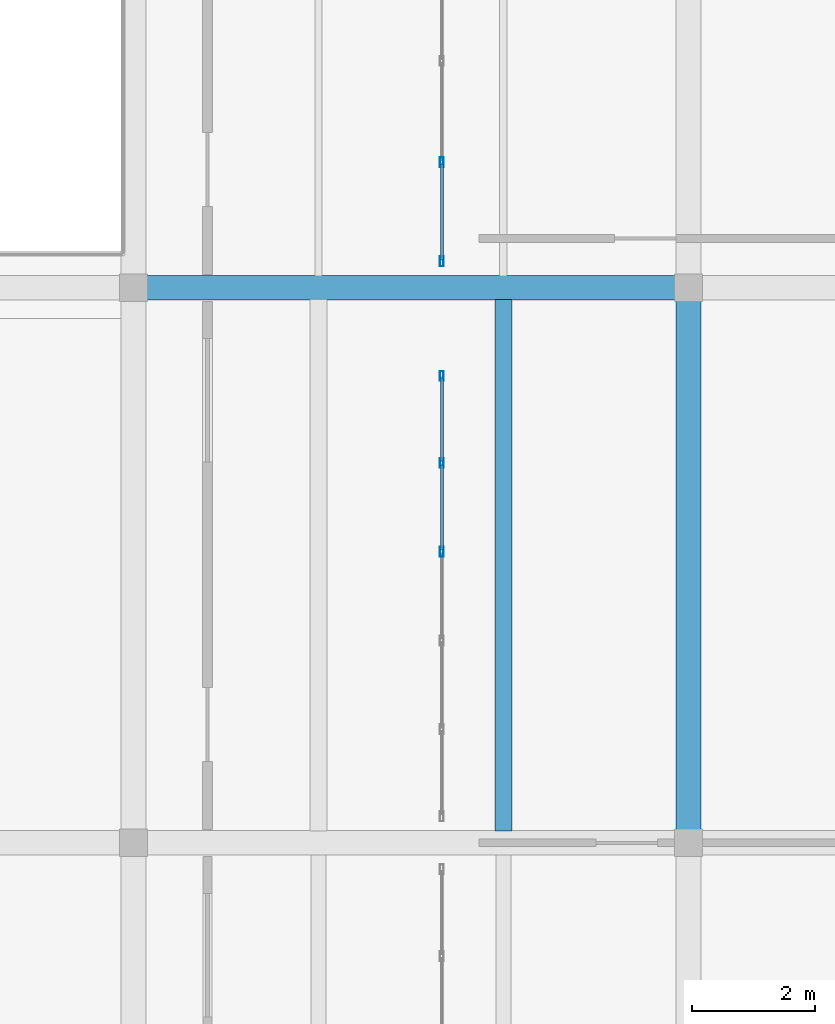
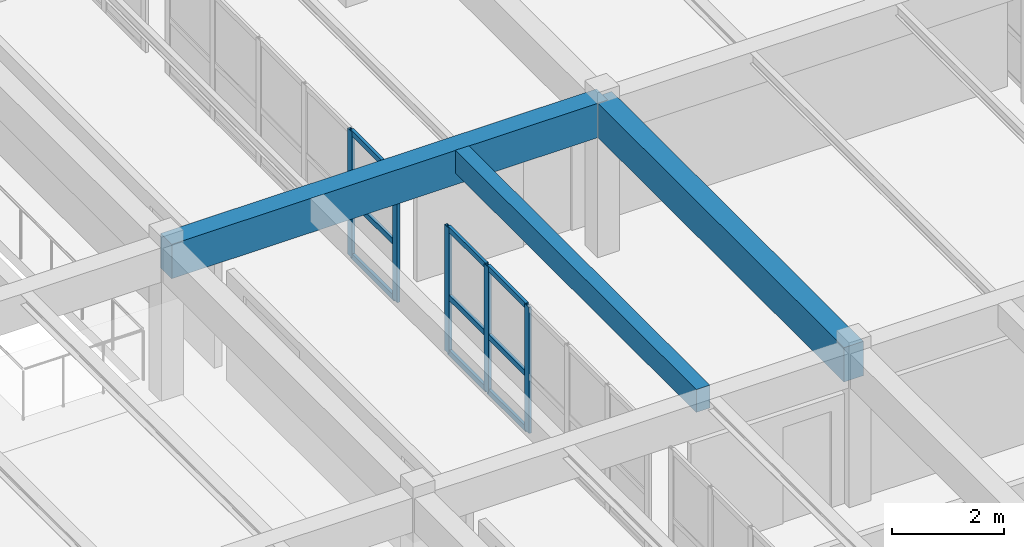
# One storey, part 41 of 80: 14 members, 3 beams, 2 elements without a shape of their own.
"""IFC4 building model written with IfcOpenShell, lengths in metres."""

import ifcopenshell
import ifcopenshell.guid

model = None  # the IFC model being written
_history = None  # IfcOwnerHistory: only IFC2X3 demands one
_inside = {}  # id of a spatial element -> (the spatial element, [elements in it])
_under = {}  # id of a project, library or spatial element -> (it, [spatial elements below it])
_declared = {}  # id of a project -> (the project, [libraries it declares])
_typed = {}  # id of a type object -> (the type object, [elements of that type])
_made_of = {}  # id of a material, layer set ... -> (it, [elements and type objects made of it])


def new_model(schema):
    """Start an empty IFC model of exactly this schema.

    Asked for "IFC4X3", IfcOpenShell would pick the latest addendum, in which some entities
    have other attributes; the version numbers below select the first issue.
    IFC2X3 requires an IfcOwnerHistory on every rooted entity: one is made here for all.
    """
    global model, _history
    if schema == "IFC4X3":
        model = ifcopenshell.file(schema_version=(4, 3, 0, 0))
    else:
        model = ifcopenshell.file(schema=schema)
    _inside.clear()
    _under.clear()
    _declared.clear()
    _typed.clear()
    _made_of.clear()
    _history = None
    if model.schema == "IFC2X3":
        org = make("IfcOrganization", Name="unknown")
        user = make(
            "IfcPersonAndOrganization",
            ThePerson=make("IfcPerson", FamilyName="unknown"),
            TheOrganization=org,
        )
        app = make(
            "IfcApplication",
            ApplicationDeveloper=org,
            Version="unknown",
            ApplicationFullName="unknown",
            ApplicationIdentifier="unknown",
        )
        _history = make(
            "IfcOwnerHistory",
            OwningUser=user,
            OwningApplication=app,
            ChangeAction="ADDED",
            CreationDate=0,
        )
    return model


def make(cls, **values):
    """One entity of the class cls with the attributes given. An attribute that is None is left unset."""
    return model.create_entity(
        cls, **{name: value for name, value in values.items() if value is not None}
    )


def rooted(cls, **values):
    """An entity with a GlobalId (a new one), such as an element, a storey or a relation."""
    return make(cls, GlobalId=ifcopenshell.guid.new(), OwnerHistory=_history, **values)


def si_unit(unit_type, name, prefix=None):
    """IfcSIUnit, for example si_unit("LENGTHUNIT", "METRE", prefix="MILLI")."""
    return make("IfcSIUnit", UnitType=unit_type, Prefix=prefix, Name=name)


def assignment(units):
    """IfcUnitAssignment: the units of a project."""
    return None if units is None else make("IfcUnitAssignment", Units=units)


def point(xyz):
    """IfcCartesianPoint."""
    return None if xyz is None else make("IfcCartesianPoint", Coordinates=xyz)


def direction(xyz):
    """IfcDirection."""
    return None if xyz is None else make("IfcDirection", DirectionRatios=xyz)


def frame(location, z_axis=None, x_axis=None):
    """IfcAxis2Placement3D, a coordinate frame: its origin and axes. An axis left out is left unset."""
    return make(
        "IfcAxis2Placement3D",
        Location=point(location),
        Axis=direction(z_axis),
        RefDirection=direction(x_axis),
    )


def frame_2d(location, x_axis=None):
    """IfcAxis2Placement2D, a coordinate frame in the plane: its origin and x axis."""
    return make(
        "IfcAxis2Placement2D", Location=point(location), RefDirection=direction(x_axis)
    )


def origin():
    """The frame at (0, 0, 0) with its axes left unset."""
    return frame((0.0, 0.0, 0.0))


def origin_2d():
    """The frame at (0, 0) in the plane with its x axis left unset."""
    return frame_2d((0.0, 0.0))


def place(relative_to, where):
    """IfcLocalPlacement: puts the frame where relative to a parent placement (None: the world)."""
    return make(
        "IfcLocalPlacement", PlacementRelTo=relative_to, RelativePlacement=where
    )


def context(
    kind, dimensions, precision=None, world=None, true_north=None, identifier=None
):
    """IfcGeometricRepresentationContext, for example the 3D "Model" context."""
    return make(
        "IfcGeometricRepresentationContext",
        ContextIdentifier=identifier,
        ContextType=kind,
        CoordinateSpaceDimension=dimensions,
        Precision=precision,
        WorldCoordinateSystem=world,
        TrueNorth=true_north,
    )


def subcontext(parent, identifier, kind, view, scale=None):
    """IfcGeometricRepresentationSubContext, for example "Body" below "Model"."""
    return make(
        "IfcGeometricRepresentationSubContext",
        ContextIdentifier=identifier,
        ContextType=kind,
        ParentContext=parent,
        TargetScale=scale,
        TargetView=view,
    )


def project(units=None, contexts=None):
    """IfcProject with its units and contexts."""
    return rooted(
        "IfcProject",
        Name="project",
        RepresentationContexts=contexts,
        UnitsInContext=assignment(units),
    )


def spatial(cls, under=None, at=None, **own):
    """A site, building, storey or space (cls), placed at a placement, below another one or the project."""
    s = rooted(cls, ObjectPlacement=at, **own)
    if under is not None:
        _under.setdefault(under.id(), (under, []))[1].append(s)
    return s


def profile(cls, at=None, kind="AREA", **sizes):
    """A parametric profile (cls). Its sizes go by their IFC names, for example OverallWidth=200.0."""
    return make(cls, ProfileType=kind, Position=at, **sizes)


def rectangle(**sizes):
    """IfcRectangleProfileDef."""
    return profile("IfcRectangleProfileDef", **sizes)


def hollow_rectangle(**sizes):
    """IfcRectangleHollowProfileDef."""
    return profile("IfcRectangleHollowProfileDef", **sizes)


def extrude(swept, where, along, depth):
    """IfcExtrudedAreaSolid: the profile swept, set in the frame where, extruded along a direction by depth."""
    return make(
        "IfcExtrudedAreaSolid",
        SweptArea=swept,
        Position=where,
        ExtrudedDirection=direction(along),
        Depth=depth,
    )


def shape(context_of_items, identifier, shape_type, items):
    """IfcShapeRepresentation: the items that make up one representation, for example the "Body"."""
    return make(
        "IfcShapeRepresentation",
        ContextOfItems=context_of_items,
        RepresentationIdentifier=identifier,
        RepresentationType=shape_type,
        Items=items,
    )


def material(Name=None, Category=None):
    """IfcMaterial."""
    return make("IfcMaterial", Name=Name, Category=Category)


def layer(
    of_material, thickness, ventilated=None, Name=None, Category=None, Priority=None
):
    """IfcMaterialLayer: one layer of a wall or slab, of a material (None: an air gap)."""
    return make(
        "IfcMaterialLayer",
        Material=of_material,
        LayerThickness=thickness,
        IsVentilated=ventilated,
        Name=Name,
        Category=Category,
        Priority=Priority,
    )


def layer_set(layers, Name=None):
    """IfcMaterialLayerSet."""
    return make("IfcMaterialLayerSet", MaterialLayers=layers, LayerSetName=Name)


def material_profile(
    of_material, cross_section, Name=None, Category=None, Priority=None
):
    """IfcMaterialProfile: a cross section and its material."""
    return make(
        "IfcMaterialProfile",
        Name=Name,
        Material=of_material,
        Profile=cross_section,
        Priority=Priority,
        Category=Category,
    )


def profile_set(profiles, Name=None, composite=None):
    """IfcMaterialProfileSet."""
    return make(
        "IfcMaterialProfileSet",
        Name=Name,
        MaterialProfiles=profiles,
        CompositeProfile=composite,
    )


def made_of(thing, what):
    """Note that an element or type object is made of a material, layer set ...; save() writes the relation."""
    if what is not None:
        _made_of.setdefault(what.id(), (what, []))[1].append(thing)
    return thing


def type_object(cls, material=None, **own):
    """A type object (cls), such as IfcWallType, which elements share."""
    return made_of(rooted(cls, **own), material)


def element(
    cls,
    number,
    at=None,
    inside=None,
    cuts=None,
    type_object=None,
    material=None,
    context=None,
    identifier="Body",
    shape_type=None,
    held_by="IfcProductDefinitionShape",
    body=None,
    shapes=None,
    **own,
):
    """One element of the class cls, such as IfcWall. Its Tag is "e" and its number.

    at: its placement. inside: the storey or other place that contains it. cuts: it is an
    opening in that element (IfcRelVoidsElement). A single representation is given by context,
    identifier, shape_type and body (its items); several are given by shapes. held_by: the class
    of the entity that holds the representations. save() writes the other relations.
    """
    e = rooted(cls, Tag="e%d" % number, ObjectPlacement=at, **own)
    if body is not None:
        shapes = [shape(context, identifier, shape_type, body)]
    if shapes is not None:
        e.Representation = make(held_by, Representations=shapes)
    if inside is not None:
        _inside.setdefault(inside.id(), (inside, []))[1].append(e)
    if cuts is not None:
        rooted(
            "IfcRelVoidsElement", RelatingBuildingElement=cuts, RelatedOpeningElement=e
        )
    if type_object is not None:
        _typed.setdefault(type_object.id(), (type_object, []))[1].append(e)
    return made_of(e, material)


def aggregate(whole, parts):
    """IfcRelAggregates: a whole, such as a stair, and the parts it consists of."""
    return rooted("IfcRelAggregates", RelatingObject=whole, RelatedObjects=parts)


def save(model, path):
    """Write the relations noted so far, then the file.

    IfcRelAggregates (storeys below a building ...), IfcRelContainedInSpatialStructure (elements
    in a storey), IfcRelDefinesByType, IfcRelAssociatesMaterial and IfcRelDeclares: one each for
    every whole, place, type object, material and project.
    """
    for whole, parts in _under.values():
        aggregate(whole, parts)
    for where, things in _inside.values():
        rooted(
            "IfcRelContainedInSpatialStructure",
            RelatedElements=things,
            RelatingStructure=where,
        )
    for kind, things in _typed.values():
        rooted("IfcRelDefinesByType", RelatedObjects=things, RelatingType=kind)
    for what, things in _made_of.values():
        rooted("IfcRelAssociatesMaterial", RelatedObjects=things, RelatingMaterial=what)
    for by, libraries in _declared.values():
        rooted("IfcRelDeclares", RelatingContext=by, RelatedDefinitions=libraries)
    model.write(path)


model = new_model("IFC4")

# Units and contexts
model_context = context("Model", 3, precision=1e-05, world=origin(), true_north=direction((0.0, 1.0)))
body_context = subcontext(model_context, "Body", "Model", "MODEL_VIEW")
ifc_project = project(units=[si_unit("LENGTHUNIT", "METRE"), si_unit("AREAUNIT", "SQUARE_METRE"), si_unit("VOLUMEUNIT", "CUBIC_METRE"), si_unit("PLANEANGLEUNIT", "RADIAN"), si_unit("MASSUNIT", "GRAM", prefix="KILO")], contexts=[model_context])

# Site, building, storey
site_placement = place(None, origin())
site = spatial("IfcSite", under=ifc_project, at=site_placement, CompositionType="ELEMENT")
building_placement = place(site_placement, origin())
building = spatial("IfcBuilding", under=site, at=building_placement, Name="Ornek Quay Market", CompositionType="ELEMENT")
storey_placement = place(building_placement, frame((0.0, 0.0, 8.39990234375)))
storey = spatial("IfcBuildingStorey", under=building, at=storey_placement, Name="L02", CompositionType="ELEMENT", Elevation=8.39990234375)

# Beams
ifc_material_1 = material(Name="Concrete C35/45", Category="concrete")
ifc_material_profile_1 = material_profile(ifc_material_1, rectangle(XDim=0.39990234375, YDim=0.75, at=origin_2d()), Name="RC 400x750", Category="concrete")
ifc_profile_set_1 = profile_set([ifc_material_profile_1], Name="Concrete C35/45")
beam_type_1 = type_object("IfcBeamType", Name="BM-CS-400x750", PredefinedType="BEAM", material=ifc_profile_set_1)
for number, where, z_axis, x_axis, name in (
    (1, (162.0, 47.0, 2.97509765625), (1.0, 0.0, 0.0), (0.0, 1.0, 0.0), "Primary beam B-CS1-064"),
    (2, (171.0, 38.0, 2.97509765625), (0.0, 1.0, 0.0), (-1.0, 0.0, 0.0), "Primary beam B-CS1-078"),
):
    element("IfcBeam", number, at=place(storey_placement, frame(where, z_axis=z_axis, x_axis=x_axis)), inside=storey, type_object=beam_type_1, Name=name, PredefinedType="BEAM", context=body_context, shape_type="SweptSolid", body=[
        extrude(rectangle(XDim=0.39990234375, YDim=0.75, at=origin_2d()), origin(), (0.0, 0.0, 1.0), 9.0),
    ])
ifc_material_profile_2 = material_profile(ifc_material_1, rectangle(XDim=0.280029296875, YDim=0.5, at=origin_2d()), Name="RC 280x500", Category="concrete")
ifc_profile_set_2 = profile_set([ifc_material_profile_2], Name="Concrete C35/45")
beam_type_2 = type_object("IfcBeamType", Name="BM-SEC-280x500", PredefinedType="JOIST", material=ifc_profile_set_2)
beam_placement = place(storey_placement, frame((168.0, 38.19189453125, 3.10009765625), z_axis=(0.0, 1.0, 0.0), x_axis=(-1.0, 0.0, 0.0)))
element("IfcBeam", 3, at=beam_placement, inside=storey, type_object=beam_type_2, Name="Secondary joist B-SC2-096", PredefinedType="JOIST", context=body_context, shape_type="SweptSolid", body=[
    extrude(rectangle(XDim=0.280029296875, YDim=0.5, at=origin_2d()), origin(), (0.0, 0.0, 1.0), 8.6162109375),
])

# Curtain wall, members
ifc_material_2 = material(Name="Anodised bronze aluminium and triple low-e glass", Category="aluminium")
ifc_layer = layer(ifc_material_2, 0.139892578125, Name="Anodised bronze aluminium and triple low-e glass", Category="aluminium")
ifc_layer_set = layer_set([ifc_layer], Name="Anodised bronze aluminium and triple low-e glass")
curtain_wall_type = type_object("IfcCurtainWallType", Name="CW-GALLERY-INT", PredefinedType="USERDEFINED", material=ifc_layer_set)
curtain_wall_1_placement = place(storey_placement, origin())
curtain_wall_1 = element("IfcCurtainWall", 4, at=curtain_wall_1_placement, inside=storey, type_object=curtain_wall_type, Name="Curtain wall CW-168", ObjectType="CURTAIN WALL", PredefinedType="USERDEFINED")
ifc_material_3 = material(Name="Anodised aluminium 6063-T6", Category="aluminium")
ifc_material_profile_3 = material_profile(ifc_material_3, hollow_rectangle(XDim=0.06005859375, YDim=0.159912109375, WallThickness=0.00390625, at=origin_2d()), Name="CW-MUL-60x160", Category="aluminium")
ifc_profile_set_3 = profile_set([ifc_material_profile_3], Name="Anodised aluminium 6063-T6")
member_type_1 = type_object("IfcMemberType", Name="CW-MUL-60x160", PredefinedType="MULLION", material=ifc_profile_set_3)
member_1_placement = place(storey_placement, frame((167.0, 42.719970703125, 0.0), z_axis=(0.0, 0.0, 1.0), x_axis=(-1.0, 0.0, 0.0)))
member_1 = element("IfcMember", 5, at=member_1_placement, type_object=member_type_1, Name="CW-168 mullion 4", PredefinedType="MULLION", context=body_context, shape_type="SweptSolid", body=[
    extrude(hollow_rectangle(XDim=0.06005859375, YDim=0.159912109375, WallThickness=0.00390625, at=origin_2d()), origin(), (0.0, 0.0, 1.0), 2.75),
])
member_2_placement = place(storey_placement, frame((167.0, 44.159912109375, 0.0), z_axis=(0.0, 0.0, 1.0), x_axis=(-1.0, 0.0, 0.0)))
member_2 = element("IfcMember", 6, at=member_2_placement, type_object=member_type_1, Name="CW-168 mullion 5", PredefinedType="MULLION", context=body_context, shape_type="SweptSolid", body=[
    extrude(hollow_rectangle(XDim=0.06005859375, YDim=0.159912109375, WallThickness=0.00390625, at=origin_2d()), origin(), (0.0, 0.0, 1.0), 2.75),
])
member_3_placement = place(storey_placement, frame((167.0, 45.570068359375, 0.0), z_axis=(0.0, 0.0, 1.0), x_axis=(-1.0, 0.0, 0.0)))
member_3 = element("IfcMember", 7, at=member_3_placement, type_object=member_type_1, Name="CW-168 mullion 6", PredefinedType="MULLION", context=body_context, shape_type="SweptSolid", body=[
    extrude(hollow_rectangle(XDim=0.06005859375, YDim=0.159912109375, WallThickness=0.00390625, at=origin_2d()), origin(), (0.0, 0.0, 1.0), 2.75),
])

curtain_wall_2_placement = place(storey_placement, origin())
curtain_wall_2 = element("IfcCurtainWall", 8, at=curtain_wall_2_placement, inside=storey, type_object=curtain_wall_type, Name="Curtain wall CW-169", ObjectType="CURTAIN WALL", PredefinedType="USERDEFINED")
member_4_placement = place(storey_placement, frame((167.0, 47.429931640625, 0.0), z_axis=(0.0, 0.0, 1.0), x_axis=(-1.0, 0.0, 0.0)))
member_4 = element("IfcMember", 9, at=member_4_placement, type_object=member_type_1, Name="CW-169 mullion 1", PredefinedType="MULLION", context=body_context, shape_type="SweptSolid", body=[
    extrude(hollow_rectangle(XDim=0.06005859375, YDim=0.159912109375, WallThickness=0.00390625, at=origin_2d()), origin(), (0.0, 0.0, 1.0), 2.75),
])
member_5_placement = place(storey_placement, frame((167.0, 49.0400390625, 0.0), z_axis=(0.0, 0.0, 1.0), x_axis=(-1.0, 0.0, 0.0)))
member_5 = element("IfcMember", 10, at=member_5_placement, type_object=member_type_1, Name="CW-169 mullion 2", PredefinedType="MULLION", context=body_context, shape_type="SweptSolid", body=[
    extrude(hollow_rectangle(XDim=0.06005859375, YDim=0.159912109375, WallThickness=0.00390625, at=origin_2d()), origin(), (0.0, 0.0, 1.0), 2.75),
])

# Member
ifc_material_profile_4 = material_profile(ifc_material_3, hollow_rectangle(XDim=0.06005859375, YDim=0.1201171875, WallThickness=0.00390625, at=origin_2d()), Name="CW-TRN-60x120", Category="aluminium")
ifc_profile_set_4 = profile_set([ifc_material_profile_4], Name="Anodised aluminium 6063-T6")
member_type_2 = type_object("IfcMemberType", Name="CW-TRN-60x120", PredefinedType="USERDEFINED", material=ifc_profile_set_4)
member_6_placement = place(storey_placement, frame((167.0, 42.75, 0.030029296875), z_axis=(0.0, 1.0, 0.0), x_axis=(-1.0, 0.0, 0.0)))
member_6 = element("IfcMember", 11, at=member_6_placement, type_object=member_type_2, Name="CW-168 transom 4.1", ObjectType="TRANSOM", PredefinedType="USERDEFINED", context=body_context, shape_type="SweptSolid", body=[
    extrude(hollow_rectangle(XDim=0.06005859375, YDim=0.1201171875, WallThickness=0.00390625, at=origin_2d()), origin(), (0.0, 0.0, 1.0), 1.3798828125),
])

member_7_placement = place(storey_placement, frame((167.0, 42.75, 1.237548828125), z_axis=(0.0, 1.0, 0.0), x_axis=(-1.0, 0.0, 0.0)))
member_7 = element("IfcMember", 12, at=member_7_placement, type_object=member_type_2, Name="CW-168 transom 4.2", ObjectType="TRANSOM", PredefinedType="USERDEFINED", context=body_context, shape_type="SweptSolid", body=[
    extrude(hollow_rectangle(XDim=0.06005859375, YDim=0.1201171875, WallThickness=0.00390625, at=origin_2d()), origin(), (0.0, 0.0, 1.0), 1.3798828125),
])

member_8_placement = place(storey_placement, frame((167.0, 42.75, 2.72021484375), z_axis=(0.0, 1.0, 0.0), x_axis=(-1.0, 0.0, 0.0)))
member_8 = element("IfcMember", 13, at=member_8_placement, type_object=member_type_2, Name="CW-168 transom 4.3", ObjectType="TRANSOM", PredefinedType="USERDEFINED", context=body_context, shape_type="SweptSolid", body=[
    extrude(hollow_rectangle(XDim=0.06005859375, YDim=0.1201171875, WallThickness=0.00390625, at=origin_2d()), origin(), (0.0, 0.0, 1.0), 1.3798828125),
])

member_9_placement = place(storey_placement, frame((167.0, 44.18994140625, 0.030029296875), z_axis=(0.0, 1.0, 0.0), x_axis=(-1.0, 0.0, 0.0)))
member_9 = element("IfcMember", 14, at=member_9_placement, type_object=member_type_2, Name="CW-168 transom 5.1", ObjectType="TRANSOM", PredefinedType="USERDEFINED", context=body_context, shape_type="SweptSolid", body=[
    extrude(hollow_rectangle(XDim=0.06005859375, YDim=0.1201171875, WallThickness=0.00390625, at=origin_2d()), origin(), (0.0, 0.0, 1.0), 1.35009765625),
])

member_10_placement = place(storey_placement, frame((167.0, 44.18994140625, 1.237548828125), z_axis=(0.0, 1.0, 0.0), x_axis=(-1.0, 0.0, 0.0)))
member_10 = element("IfcMember", 15, at=member_10_placement, type_object=member_type_2, Name="CW-168 transom 5.2", ObjectType="TRANSOM", PredefinedType="USERDEFINED", context=body_context, shape_type="SweptSolid", body=[
    extrude(hollow_rectangle(XDim=0.06005859375, YDim=0.1201171875, WallThickness=0.00390625, at=origin_2d()), origin(), (0.0, 0.0, 1.0), 1.35009765625),
])

member_11_placement = place(storey_placement, frame((167.0, 44.18994140625, 2.72021484375), z_axis=(0.0, 1.0, 0.0), x_axis=(-1.0, 0.0, 0.0)))
member_11 = element("IfcMember", 16, at=member_11_placement, type_object=member_type_2, Name="CW-168 transom 5.3", ObjectType="TRANSOM", PredefinedType="USERDEFINED", context=body_context, shape_type="SweptSolid", body=[
    extrude(hollow_rectangle(XDim=0.06005859375, YDim=0.1201171875, WallThickness=0.00390625, at=origin_2d()), origin(), (0.0, 0.0, 1.0), 1.35009765625),
])

aggregate(curtain_wall_1, [member_1, member_2, member_3, member_6, member_7, member_8, member_9, member_10, member_11])

member_12_placement = place(storey_placement, frame((167.0, 47.4599609375, 0.030029296875), z_axis=(0.0, 1.0, 0.0), x_axis=(-1.0, 0.0, 0.0)))
member_12 = element("IfcMember", 17, at=member_12_placement, type_object=member_type_2, Name="CW-169 transom 1.1", ObjectType="TRANSOM", PredefinedType="USERDEFINED", context=body_context, shape_type="SweptSolid", body=[
    extrude(hollow_rectangle(XDim=0.06005859375, YDim=0.1201171875, WallThickness=0.00390625, at=origin_2d()), origin(), (0.0, 0.0, 1.0), 1.550048828125),
])

member_13_placement = place(storey_placement, frame((167.0, 47.4599609375, 1.237548828125), z_axis=(0.0, 1.0, 0.0), x_axis=(-1.0, 0.0, 0.0)))
member_13 = element("IfcMember", 18, at=member_13_placement, type_object=member_type_2, Name="CW-169 transom 1.2", ObjectType="TRANSOM", PredefinedType="USERDEFINED", context=body_context, shape_type="SweptSolid", body=[
    extrude(hollow_rectangle(XDim=0.06005859375, YDim=0.1201171875, WallThickness=0.00390625, at=origin_2d()), origin(), (0.0, 0.0, 1.0), 1.550048828125),
])

member_14_placement = place(storey_placement, frame((167.0, 47.4599609375, 2.72021484375), z_axis=(0.0, 1.0, 0.0), x_axis=(-1.0, 0.0, 0.0)))
member_14 = element("IfcMember", 19, at=member_14_placement, type_object=member_type_2, Name="CW-169 transom 1.3", ObjectType="TRANSOM", PredefinedType="USERDEFINED", context=body_context, shape_type="SweptSolid", body=[
    extrude(hollow_rectangle(XDim=0.06005859375, YDim=0.1201171875, WallThickness=0.00390625, at=origin_2d()), origin(), (0.0, 0.0, 1.0), 1.550048828125),
])

aggregate(curtain_wall_2, [member_4, member_5, member_12, member_13, member_14])

save(model, "model.ifc")
